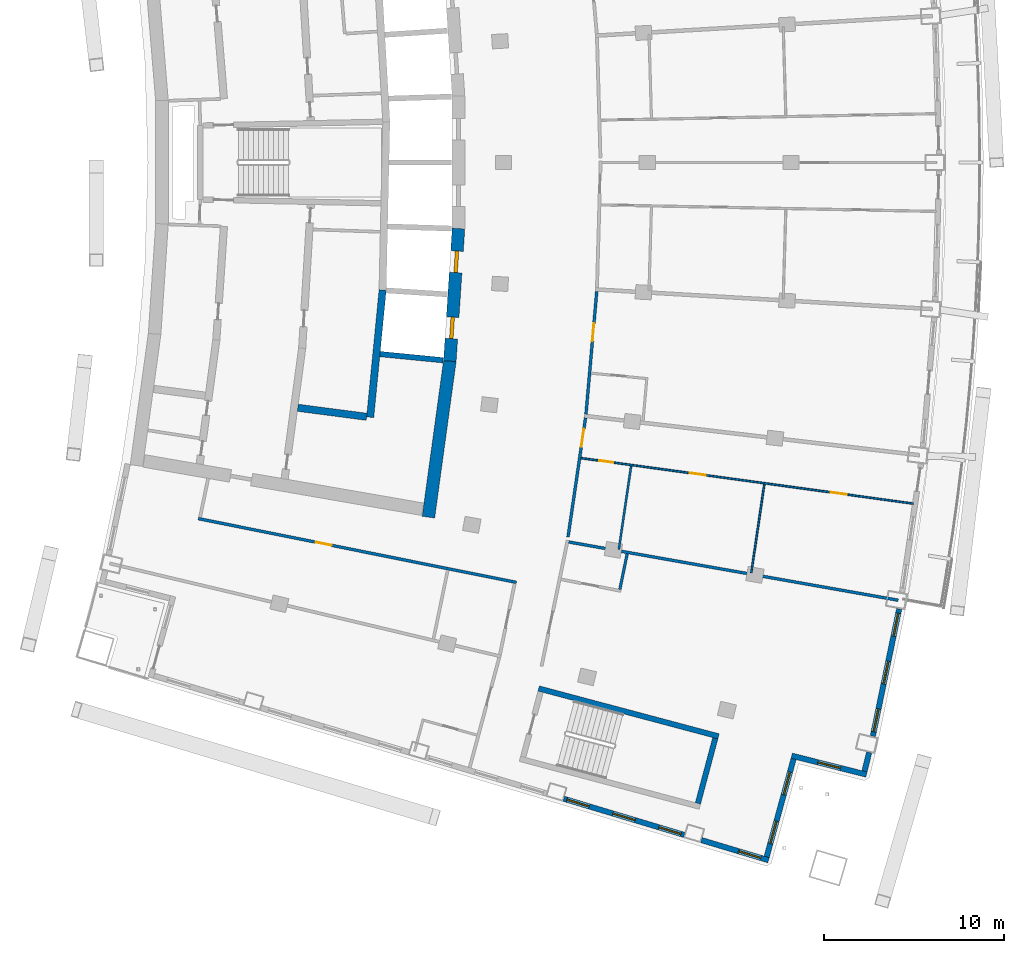
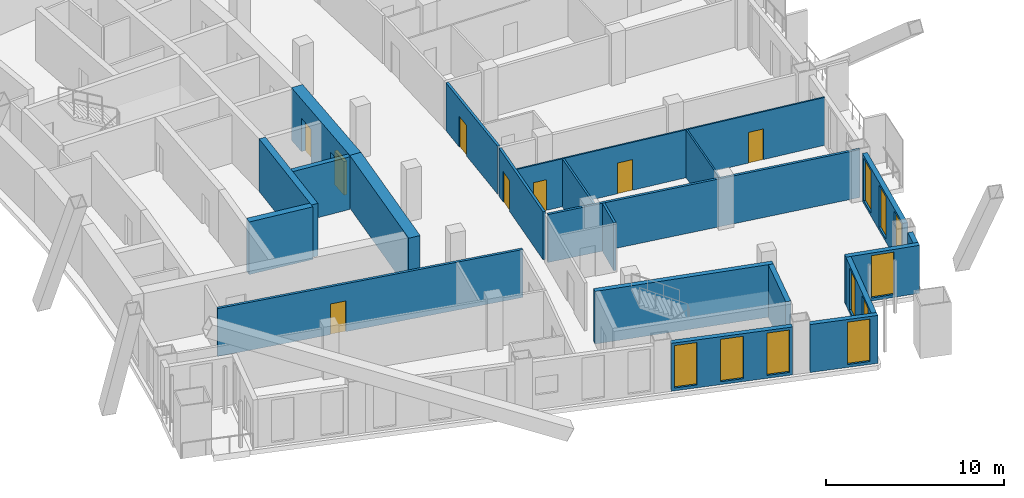
# One storey, part 11 of 20: 21 walls, 10 windows, 8 doors, 18 openings.
"""IFC4 building model written with IfcOpenShell, lengths in metres."""

from ifc_helpers import new_model, si_unit, direction, frame, frame_2d, origin, place, context, subcontext, project, spatial, rectangle, extrude, material, layer, layer_set, type_object, element, fill, save


model = new_model("IFC4")

# Units and contexts
model_context = context("Model", 3, precision=1e-05, world=origin(), true_north=direction((0.0, 1.0)))
body_context = subcontext(model_context, "Body", "Model", "MODEL_VIEW")
ifc_project = project(units=[si_unit("LENGTHUNIT", "METRE"), si_unit("AREAUNIT", "SQUARE_METRE"), si_unit("VOLUMEUNIT", "CUBIC_METRE"), si_unit("PLANEANGLEUNIT", "RADIAN"), si_unit("MASSUNIT", "GRAM", prefix="KILO")], contexts=[model_context])

# Site, building, storey
site_placement = place(None, origin())
site = spatial("IfcSite", under=ifc_project, at=site_placement, CompositionType="ELEMENT")
building_placement = place(site_placement, origin())
building = spatial("IfcBuilding", under=site, at=building_placement, Name="Alderwake Tower", CompositionType="ELEMENT")
storey_placement = place(building_placement, frame((0.0, 0.0, 149.60009765625)))
storey = spatial("IfcBuildingStorey", under=building, at=storey_placement, Name="L36", CompositionType="ELEMENT", Elevation=149.60009765625)

# Wall
ifc_material_1 = material(Name="Concrete C70/85", Category="concrete")
ifc_layer_1 = layer(ifc_material_1, 0.699951171875)
ifc_layer_set_1 = layer_set([ifc_layer_1], Name="Core wall outer 700 C70-85")
wall_type_1 = type_object("IfcWallType", Name="Core wall outer 700 C70-85", PredefinedType="SHEAR", material=ifc_layer_set_1)
wall_1_placement = place(storey_placement, frame((31.618896484375, 41.264892578125, 0.0), z_axis=(0.0, 0.0, 1.0), x_axis=(0.135835706655, 0.99073137671, 0.0)))
element("IfcWall", 1, at=wall_1_placement, inside=storey, type_object=wall_type_1, Name="Core wall CW.012", PredefinedType="SHEAR", context=body_context, shape_type="SweptSolid", body=[
    extrude(rectangle(XDim=8.790771484375, YDim=0.699951171875, at=frame_2d((4.3955078125, 0.0))), origin(), (0.0, 0.0, 1.0), 3.599853515625),
])

# Wall, openings, doors
wall_2_placement = place(storey_placement, frame((32.810302734375, 49.9482421875, 0.0), z_axis=(0.0, 0.0, 1.0), x_axis=(0.065009096017, 0.99788467141, 0.0)))
wall_2 = element("IfcWall", 2, at=wall_2_placement, inside=storey, type_object=wall_type_1, Name="Core wall CW.011", PredefinedType="SHEAR", context=body_context, shape_type="SweptSolid", body=[
    extrude(rectangle(XDim=7.39453125, YDim=0.699951171875, at=frame_2d((3.697265625, 0.0))), origin(), (0.0, 0.0, 1.0), 3.599853515625),
])
opening_1_placement = place(wall_2_placement, frame((1.255126953125, 0.0, 0.0)))
opening_1 = element("IfcOpeningElement", 3, at=opening_1_placement, cuts=wall_2, Name="Opening LD-HP1", PredefinedType="OPENING", context=body_context, shape_type="SweptSolid", body=[
    extrude(rectangle(XDim=1.199951171875, YDim=2.300048828125, at=frame_2d((0.60009765625, 1.14990234375))), frame((0.0, 0.35986328125, 0.0), z_axis=(0.0, -1.0, 0.0), x_axis=(1.0, 0.0, 0.0)), (0.0, 0.0, 1.0), 0.719970703125),
])
opening_2_placement = place(wall_2_placement, frame((4.9404296875, 0.0, 0.0)))
opening_2 = element("IfcOpeningElement", 4, at=opening_2_placement, cuts=wall_2, Name="Opening LD-HP2", PredefinedType="OPENING", context=body_context, shape_type="SweptSolid", body=[
    extrude(rectangle(XDim=1.199951171875, YDim=2.300048828125, at=frame_2d((0.60009765625, 1.14990234375))), frame((0.0, 0.35986328125, 0.0), z_axis=(0.0, -1.0, 0.0), x_axis=(1.0, 0.0, 0.0)), (0.0, 0.0, 1.0), 0.719970703125),
])
ifc_material_2 = material(Name="Stainless steel sliding leaf", Category="steel")
door_type_1 = type_object("IfcDoorType", Name="Lift landing door 1200", OperationType="SLIDING_TO_LEFT", PredefinedType="DOOR", material=ifc_material_2)
door_1_placement = place(opening_1_placement, origin())
door_1 = element("IfcDoor", 5, at=door_1_placement, inside=storey, type_object=door_type_1, Name="Lift landing door HP1", OperationType="SLIDING_TO_LEFT", OverallHeight=2.300048828125, OverallWidth=1.199951171875, PredefinedType="DOOR", context=body_context, shape_type="SweptSolid", body=[
    extrude(rectangle(XDim=1.199951171875, YDim=2.300048828125, at=frame_2d((0.60009765625, 1.14990234375))), frame((0.0, 0.10009765625, 0.0), z_axis=(0.0, -1.0, 0.0), x_axis=(1.0, 0.0, 0.0)), (0.0, 0.0, 1.0), 0.199951171875),
])
fill(opening_1, door_1)
door_2_placement = place(opening_2_placement, origin())
door_2 = element("IfcDoor", 6, at=door_2_placement, inside=storey, type_object=door_type_1, Name="Lift landing door HP2", OperationType="SLIDING_TO_LEFT", OverallHeight=2.300048828125, OverallWidth=1.199951171875, PredefinedType="DOOR", context=body_context, shape_type="SweptSolid", body=[
    extrude(rectangle(XDim=1.199951171875, YDim=2.300048828125, at=frame_2d((0.60009765625, 1.14990234375))), frame((0.0, 0.10009765625, 0.0), z_axis=(0.0, -1.0, 0.0), x_axis=(1.0, 0.0, 0.0)), (0.0, 0.0, 1.0), 0.199951171875),
])
fill(opening_2, door_2)

# Walls
ifc_material_3 = material(Name="Concrete C70/85", Category="concrete")
ifc_layer_2 = layer(ifc_material_3, 0.300048828125)
ifc_layer_set_2 = layer_set([ifc_layer_2], Name="Core wall shaft 300 C70-85")
wall_type_2 = type_object("IfcWallType", Name="Core wall shaft 300 C70-85", PredefinedType="SHEAR", material=ifc_layer_set_2)
wall_3_placement = place(storey_placement, frame((28.922119140625, 50.341796875, 0.0), z_axis=(0.0, 0.0, 1.0), x_axis=(0.995247351008, -0.097379208823, 0.0)))
element("IfcWall", 7, at=wall_3_placement, inside=storey, type_object=wall_type_2, Name="Core wall CW.064", PredefinedType="SHEAR", context=body_context, shape_type="SweptSolid", body=[
    extrude(rectangle(XDim=3.527587890625, YDim=0.300048828125, at=frame_2d((1.763671875, 0.0))), origin(), (0.0, 0.0, 1.0), 3.599853515625),
])
ifc_material_4 = material(Name="Concrete C70/85", Category="concrete")
ifc_layer_3 = layer(ifc_material_4, 0.39990234375)
ifc_layer_set_3 = layer_set([ifc_layer_3], Name="Core wall spine 400 C70-85")
wall_type_3 = type_object("IfcWallType", Name="Core wall spine 400 C70-85", PredefinedType="SHEAR", material=ifc_layer_set_3)
wall_4_placement = place(storey_placement, frame((28.376953125, 46.8251953125, 0.0), z_axis=(0.0, 0.0, 1.0), x_axis=(0.097393469943, 0.995245955537, 0.0)))
element("IfcWall", 8, at=wall_4_placement, inside=storey, type_object=wall_type_3, Name="Core wall CW.005", PredefinedType="SHEAR", context=body_context, shape_type="SweptSolid", body=[
    extrude(rectangle(XDim=7.1142578125, YDim=0.39990234375, at=frame_2d((3.55712890625, 0.0))), origin(), (0.0, 0.0, 1.0), 3.599853515625),
])
wall_5_placement = place(storey_placement, frame((24.347900390625, 47.35205078125, 0.0), z_axis=(0.0, 0.0, 1.0), x_axis=(0.991555950624, -0.129679592778, 0.0)))
element("IfcWall", 9, at=wall_5_placement, inside=storey, type_object=wall_type_3, Name="Core wall CW.069", PredefinedType="SHEAR", context=body_context, shape_type="SweptSolid", body=[
    extrude(rectangle(XDim=3.86328125, YDim=0.39990234375, at=frame_2d((1.931640625, 0.0))), origin(), (0.0, 0.0, 1.0), 3.599853515625),
])
ifc_material_5 = material(Name="Concrete C70/85", Category="concrete")
ifc_layer_4 = layer(ifc_material_5, 0.300048828125)
ifc_layer_set_4 = layer_set([ifc_layer_4], Name="Core wall stair enclosure 300 C70-85")
wall_type_4 = type_object("IfcWallType", Name="Core wall stair enclosure 300 C70-85", PredefinedType="SHEAR", material=ifc_layer_set_4)
wall_6_placement = place(storey_placement, frame((37.75390625, 31.731201171875, 0.0), z_axis=(0.0, 0.0, 1.0), x_axis=(0.966309214305, -0.257383958996, 0.0)))
element("IfcWall", 10, at=wall_6_placement, inside=storey, type_object=wall_type_4, Name="Core wall CW.086", PredefinedType="SHEAR", context=body_context, shape_type="SweptSolid", body=[
    extrude(rectangle(XDim=10.360107421875, YDim=0.300048828125, at=frame_2d((5.18017578125, 0.0))), origin(), (0.0, 0.0, 1.0), 3.599853515625),
])
wall_7_placement = place(storey_placement, frame((46.6162109375, 25.334716796875, 0.0), z_axis=(0.0, 0.0, 1.0), x_axis=(0.257366821694, 0.966313778796, 0.0)))
element("IfcWall", 11, at=wall_7_placement, inside=storey, type_object=wall_type_4, Name="Core wall CW.085", PredefinedType="SHEAR", context=body_context, shape_type="SweptSolid", body=[
    extrude(rectangle(XDim=3.749755859375, YDim=0.300048828125, at=frame_2d((1.875, 0.0))), origin(), (0.0, 0.0, 1.0), 3.599853515625),
])

# Wall, opening, door
ifc_material_6 = material(Name="Gypsum board on metal studs, rated")
ifc_layer_5 = layer(ifc_material_6, 0.159912109375)
ifc_layer_set_5 = layer_set([ifc_layer_5], Name="Corridor wall 160")
wall_type_5 = type_object("IfcWallType", Name="Corridor wall 160", PredefinedType="PARTITIONING", material=ifc_layer_set_5)
wall_8_placement = place(storey_placement, frame((36.513427734375, 37.63427734375, 0.0), z_axis=(0.0, 0.0, 1.0), x_axis=(-0.980470254867, 0.1966674333, 0.0)))
wall_8 = element("IfcWall", 12, at=wall_8_placement, inside=storey, type_object=wall_type_5, Name="WL/L36/W12", PredefinedType="PARTITIONING", context=body_context, shape_type="SweptSolid", body=[
    extrude(rectangle(XDim=18.053466796875, YDim=0.159912109375, at=frame_2d((9.02685546875, 0.0))), origin(), (0.0, 0.0, 1.0), 3.27978515625),
])
opening_3_placement = place(wall_8_placement, frame((10.476806640625, 0.0, 0.0)))
opening_3 = element("IfcOpeningElement", 13, at=opening_3_placement, cuts=wall_8, Name="Opening R10-SBS1", PredefinedType="OPENING", context=body_context, shape_type="SweptSolid", body=[
    extrude(rectangle(XDim=0.89990234375, YDim=2.10009765625, at=frame_2d((0.449951171875, 1.050048828125))), frame((0.0, 0.08984375, 0.0), z_axis=(0.0, -1.0, 0.0), x_axis=(1.0, 0.0, 0.0)), (0.0, 0.0, 1.0), 0.179931640625),
])
ifc_material_7 = material(Name="Painted timber leaf", Category="wood")
door_type_2 = type_object("IfcDoorType", Name="Room door 900", OperationType="SINGLE_SWING_LEFT", PredefinedType="DOOR", material=ifc_material_7)
door_3_placement = place(opening_3_placement, origin())
door_3 = element("IfcDoor", 14, at=door_3_placement, inside=storey, type_object=door_type_2, Name="DR/L36/SBS1", OperationType="SINGLE_SWING_LEFT", OverallHeight=2.10009765625, OverallWidth=0.89990234375, PredefinedType="DOOR", context=body_context, shape_type="SweptSolid", body=[
    extrude(rectangle(XDim=0.89990234375, YDim=2.10009765625, at=frame_2d((0.449951171875, 1.050048828125))), frame((0.0, 0.02490234375, 0.0), z_axis=(0.0, -1.0, 0.0), x_axis=(1.0, 0.0, 0.0)), (0.0, 0.0, 1.0), 0.050048828125),
])
fill(opening_3, door_3)

wall_9_placement = place(storey_placement, frame((40.3623046875, 46.7939453125, 0.0), z_axis=(0.0, 0.0, 1.0), x_axis=(-0.145513909196, -0.989356205939, 0.0)))
wall_9 = element("IfcWall", 15, at=wall_9_placement, inside=storey, type_object=wall_type_5, Name="WL/L36/W22", PredefinedType="PARTITIONING", context=body_context, shape_type="SweptSolid", body=[
    extrude(rectangle(XDim=6.704345703125, YDim=0.159912109375, at=frame_2d((3.35205078125, 0.0))), origin(), (0.0, 0.0, 1.0), 3.27978515625),
])
opening_4_placement = place(wall_9_placement, frame((0.628662109375, 0.0, 0.0)))
opening_4 = element("IfcOpeningElement", 16, at=opening_4_placement, cuts=wall_9, Name="Opening R10-U03.2", PredefinedType="OPENING", context=body_context, shape_type="SweptSolid", body=[
    extrude(rectangle(XDim=1.0, YDim=2.10009765625, at=frame_2d((0.5, 1.050048828125))), frame((0.0, 0.08984375, 0.0), z_axis=(0.0, -1.0, 0.0), x_axis=(1.0, 0.0, 0.0)), (0.0, 0.0, 1.0), 0.179931640625),
])
ifc_material_8 = material(Name="Solid timber leaf in steel frame", Category="steel")
door_type_3 = type_object("IfcDoorType", Name="Flat entrance door 1000 fire-rated", OperationType="SINGLE_SWING_LEFT", PredefinedType="DOOR", material=ifc_material_8)
door_4_placement = place(opening_4_placement, origin())
door_4 = element("IfcDoor", 17, at=door_4_placement, inside=storey, type_object=door_type_3, Name="DR/L36/U03.2", OperationType="SINGLE_SWING_LEFT", OverallHeight=2.10009765625, OverallWidth=1.0, PredefinedType="DOOR", context=body_context, shape_type="SweptSolid", body=[
    extrude(rectangle(XDim=1.0, YDim=2.10009765625, at=frame_2d((0.5, 1.050048828125))), frame((0.0, 0.02490234375, 0.0), z_axis=(0.0, -1.0, 0.0), x_axis=(1.0, 0.0, 0.0)), (0.0, 0.0, 1.0), 0.050048828125),
])
fill(opening_4, door_4)

wall_10_placement = place(storey_placement, frame((40.986328125, 53.834228515625, 0.0), z_axis=(0.0, 0.0, 1.0), x_axis=(-0.087448731147, -0.996169021512, 0.0)))
wall_10 = element("IfcWall", 18, at=wall_10_placement, inside=storey, type_object=wall_type_5, Name="WL/L36/W25", PredefinedType="PARTITIONING", context=body_context, shape_type="SweptSolid", body=[
    extrude(rectangle(XDim=6.867919921875, YDim=0.159912109375, at=frame_2d((3.43408203125, 0.0))), origin(), (0.0, 0.0, 1.0), 3.27978515625),
])
opening_5_placement = place(wall_10_placement, frame((1.78271484375, 0.0, 0.0)))
opening_5 = element("IfcOpeningElement", 19, at=opening_5_placement, cuts=wall_10, Name="Opening R10-U04.1", PredefinedType="OPENING", context=body_context, shape_type="SweptSolid", body=[
    extrude(rectangle(XDim=1.0, YDim=2.10009765625, at=frame_2d((0.5, 1.050048828125))), frame((0.0, 0.08984375, 0.0), z_axis=(0.0, -1.0, 0.0), x_axis=(1.0, 0.0, 0.0)), (0.0, 0.0, 1.0), 0.179931640625),
])
door_5_placement = place(opening_5_placement, origin())
door_5 = element("IfcDoor", 20, at=door_5_placement, inside=storey, type_object=door_type_3, Name="DR/L36/U04.1", OperationType="SINGLE_SWING_LEFT", OverallHeight=2.10009765625, OverallWidth=1.0, PredefinedType="DOOR", context=body_context, shape_type="SweptSolid", body=[
    extrude(rectangle(XDim=1.0, YDim=2.10009765625, at=frame_2d((0.5, 1.050048828125))), frame((0.0, 0.02490234375, 0.0), z_axis=(0.0, -1.0, 0.0), x_axis=(1.0, 0.0, 0.0)), (0.0, 0.0, 1.0), 0.050048828125),
])
fill(opening_5, door_5)

# Walls
wall_11_placement = place(storey_placement, frame((57.761962890625, 36.64208984375, 0.0), z_axis=(0.0, 0.0, 1.0), x_axis=(-0.984734415002, 0.174063585826, 0.0)))
element("IfcWall", 21, at=wall_11_placement, inside=storey, type_object=wall_type_5, Name="WL/L36/W29", PredefinedType="PARTITIONING", context=body_context, shape_type="SweptSolid", body=[
    extrude(rectangle(XDim=18.619384765625, YDim=0.159912109375, at=frame_2d((9.3095703125, 0.0))), origin(), (0.0, 0.0, 1.0), 3.27978515625),
])
ifc_material_9 = material(Name="Precast concrete C50/60 spandrel panel", Category="concrete")
ifc_layer_6 = layer(ifc_material_9, 0.300048828125)
ifc_layer_set_6 = layer_set([ifc_layer_6], Name="External wall EW1 Precast concrete C50/60 spandrel")
wall_type_6 = type_object("IfcWallType", Name="External wall EW1 Precast concrete C50/60 spandrel", PredefinedType="SOLIDWALL", material=ifc_layer_set_6)
wall_12_placement = place(storey_placement, frame((55.88720703125, 27.119384765625, 0.0), z_axis=(0.0, 0.0, 1.0), x_axis=(0.238145557197, 0.971229475246, 0.0)))
element("IfcWall", 22, at=wall_12_placement, inside=storey, type_object=wall_type_6, Name="External wall 11", PredefinedType="SOLIDWALL", context=body_context, shape_type="SweptSolid", body=[
    extrude(rectangle(XDim=1.086669921875, YDim=0.300048828125, at=frame_2d((0.54345703125, 0.0))), origin(), (0.0, 0.0, 1.0), 3.27978515625),
])

# Wall, openings, windows
wall_13_placement = place(storey_placement, frame((56.3505859375, 29.080810546875, 0.0), z_axis=(0.0, 0.0, 1.0), x_axis=(0.202762098715, 0.979228028257, 0.0)))
wall_13 = element("IfcWall", 23, at=wall_13_placement, inside=storey, type_object=wall_type_6, Name="External wall 12", PredefinedType="SOLIDWALL", context=body_context, shape_type="SweptSolid", body=[
    extrude(rectangle(XDim=7.221923828125, YDim=0.300048828125, at=frame_2d((3.61083984375, 0.0))), origin(), (0.0, 0.0, 1.0), 3.27978515625),
])
opening_6_placement = place(wall_13_placement, frame((0.2431640625, 0.0, 0.199951171875)))
opening_6 = element("IfcOpeningElement", 24, at=opening_6_placement, cuts=wall_13, Name="Opening W1", PredefinedType="OPENING", context=body_context, shape_type="SweptSolid", body=[
    extrude(rectangle(XDim=1.300048828125, YDim=2.89990234375, at=frame_2d((0.64990234375, 1.449951171875))), frame((0.0, 0.159912109375, 0.0), z_axis=(0.0, -1.0, 0.0), x_axis=(1.0, 0.0, 0.0)), (0.0, 0.0, 1.0), 0.320068359375),
])
opening_7_placement = place(wall_13_placement, frame((2.961181640625, 0.0, 0.199951171875)))
opening_7 = element("IfcOpeningElement", 25, at=opening_7_placement, cuts=wall_13, Name="Opening W1", PredefinedType="OPENING", context=body_context, shape_type="SweptSolid", body=[
    extrude(rectangle(XDim=1.300048828125, YDim=2.89990234375, at=frame_2d((0.64990234375, 1.449951171875))), frame((0.0, 0.159912109375, 0.0), z_axis=(0.0, -1.0, 0.0), x_axis=(1.0, 0.0, 0.0)), (0.0, 0.0, 1.0), 0.320068359375),
])
opening_8_placement = place(wall_13_placement, frame((5.678955078125, 0.0, 0.199951171875)))
opening_8 = element("IfcOpeningElement", 26, at=opening_8_placement, cuts=wall_13, Name="Opening W1", PredefinedType="OPENING", context=body_context, shape_type="SweptSolid", body=[
    extrude(rectangle(XDim=1.300048828125, YDim=2.89990234375, at=frame_2d((0.64990234375, 1.449951171875))), frame((0.0, 0.159912109375, 0.0), z_axis=(0.0, -1.0, 0.0), x_axis=(1.0, 0.0, 0.0)), (0.0, 0.0, 1.0), 0.320068359375),
])
ifc_material_10 = material(Name="Bronze tinted glass in aluminium frame", Category="aluminium")
window_type = type_object("IfcWindowType", Name="Window W1 tall fixed and vent", PartitioningType="DOUBLE_PANEL_VERTICAL", PredefinedType="WINDOW", material=ifc_material_10)
window_1_placement = place(opening_6_placement, origin())
window_1 = element("IfcWindow", 27, at=window_1_placement, inside=storey, type_object=window_type, Name="Window W1 tall fixed and vent", OverallHeight=2.89990234375, OverallWidth=1.300048828125, PartitioningType="DOUBLE_PANEL_VERTICAL", PredefinedType="WINDOW", context=body_context, shape_type="SweptSolid", body=[
    extrude(rectangle(XDim=1.300048828125, YDim=2.89990234375, at=frame_2d((0.64990234375, 1.449951171875))), frame((0.0, 0.030029296875, 0.0), z_axis=(0.0, -1.0, 0.0), x_axis=(1.0, 0.0, 0.0)), (0.0, 0.0, 1.0), 0.06005859375),
])
fill(opening_6, window_1)
window_2_placement = place(opening_7_placement, origin())
window_2 = element("IfcWindow", 28, at=window_2_placement, inside=storey, type_object=window_type, Name="Window W1 tall fixed and vent", OverallHeight=2.89990234375, OverallWidth=1.300048828125, PartitioningType="DOUBLE_PANEL_VERTICAL", PredefinedType="WINDOW", context=body_context, shape_type="SweptSolid", body=[
    extrude(rectangle(XDim=1.300048828125, YDim=2.89990234375, at=frame_2d((0.64990234375, 1.449951171875))), frame((0.0, 0.030029296875, 0.0), z_axis=(0.0, -1.0, 0.0), x_axis=(1.0, 0.0, 0.0)), (0.0, 0.0, 1.0), 0.06005859375),
])
fill(opening_7, window_2)
window_3_placement = place(opening_8_placement, origin())
window_3 = element("IfcWindow", 29, at=window_3_placement, inside=storey, type_object=window_type, Name="Window W1 tall fixed and vent", OverallHeight=2.89990234375, OverallWidth=1.300048828125, PartitioningType="DOUBLE_PANEL_VERTICAL", PredefinedType="WINDOW", context=body_context, shape_type="SweptSolid", body=[
    extrude(rectangle(XDim=1.300048828125, YDim=2.89990234375, at=frame_2d((0.64990234375, 1.449951171875))), frame((0.0, 0.030029296875, 0.0), z_axis=(0.0, -1.0, 0.0), x_axis=(1.0, 0.0, 0.0)), (0.0, 0.0, 1.0), 0.06005859375),
])
fill(opening_8, window_3)

ifc_material_11 = material(Name="Bronze metal cladding on lightweight framing")
ifc_layer_7 = layer(ifc_material_11, 0.300048828125)
ifc_layer_set_7 = layer_set([ifc_layer_7], Name="External wall EW2 bronze metal cladding")
wall_type_7 = type_object("IfcWallType", Name="External wall EW2 bronze metal cladding", PredefinedType="SOLIDWALL", material=ifc_layer_set_7)
wall_14_placement = place(storey_placement, frame((39.151611328125, 25.5927734375, 0.0), z_axis=(0.0, 0.0, 1.0), x_axis=(0.957766716661, -0.287546372706, 0.0)))
wall_14 = element("IfcWall", 30, at=wall_14_placement, inside=storey, type_object=wall_type_7, Name="External wall 7", PredefinedType="SOLIDWALL", context=body_context, shape_type="SweptSolid", body=[
    extrude(rectangle(XDim=6.99609375, YDim=0.300048828125, at=frame_2d((3.498046875, 0.0))), origin(), (0.0, 0.0, 1.0), 3.27978515625),
])
opening_9_placement = place(wall_14_placement, frame((0.181396484375, 0.0, 0.199951171875)))
opening_9 = element("IfcOpeningElement", 31, at=opening_9_placement, cuts=wall_14, Name="Opening W1", PredefinedType="OPENING", context=body_context, shape_type="SweptSolid", body=[
    extrude(rectangle(XDim=1.300048828125, YDim=2.89990234375, at=frame_2d((0.64990234375, 1.449951171875))), frame((0.0, 0.159912109375, 0.0), z_axis=(0.0, -1.0, 0.0), x_axis=(1.0, 0.0, 0.0)), (0.0, 0.0, 1.0), 0.320068359375),
])
opening_10_placement = place(wall_14_placement, frame((2.84814453125, 0.0, 0.199951171875)))
opening_10 = element("IfcOpeningElement", 32, at=opening_10_placement, cuts=wall_14, Name="Opening W1", PredefinedType="OPENING", context=body_context, shape_type="SweptSolid", body=[
    extrude(rectangle(XDim=1.300048828125, YDim=2.89990234375, at=frame_2d((0.64990234375, 1.449951171875))), frame((0.0, 0.159912109375, 0.0), z_axis=(0.0, -1.0, 0.0), x_axis=(1.0, 0.0, 0.0)), (0.0, 0.0, 1.0), 0.320068359375),
])
opening_11_placement = place(wall_14_placement, frame((5.514892578125, 0.0, 0.199951171875)))
opening_11 = element("IfcOpeningElement", 33, at=opening_11_placement, cuts=wall_14, Name="Opening W1", PredefinedType="OPENING", context=body_context, shape_type="SweptSolid", body=[
    extrude(rectangle(XDim=1.300048828125, YDim=2.89990234375, at=frame_2d((0.64990234375, 1.449951171875))), frame((0.0, 0.159912109375, 0.0), z_axis=(0.0, -1.0, 0.0), x_axis=(1.0, 0.0, 0.0)), (0.0, 0.0, 1.0), 0.320068359375),
])
window_4_placement = place(opening_9_placement, origin())
window_4 = element("IfcWindow", 34, at=window_4_placement, inside=storey, type_object=window_type, Name="Window W1 tall fixed and vent", OverallHeight=2.89990234375, OverallWidth=1.300048828125, PartitioningType="DOUBLE_PANEL_VERTICAL", PredefinedType="WINDOW", context=body_context, shape_type="SweptSolid", body=[
    extrude(rectangle(XDim=1.300048828125, YDim=2.89990234375, at=frame_2d((0.64990234375, 1.449951171875))), frame((0.0, 0.030029296875, 0.0), z_axis=(0.0, -1.0, 0.0), x_axis=(1.0, 0.0, 0.0)), (0.0, 0.0, 1.0), 0.06005859375),
])
fill(opening_9, window_4)
window_5_placement = place(opening_10_placement, origin())
window_5 = element("IfcWindow", 35, at=window_5_placement, inside=storey, type_object=window_type, Name="Window W1 tall fixed and vent", OverallHeight=2.89990234375, OverallWidth=1.300048828125, PartitioningType="DOUBLE_PANEL_VERTICAL", PredefinedType="WINDOW", context=body_context, shape_type="SweptSolid", body=[
    extrude(rectangle(XDim=1.300048828125, YDim=2.89990234375, at=frame_2d((0.64990234375, 1.449951171875))), frame((0.0, 0.030029296875, 0.0), z_axis=(0.0, -1.0, 0.0), x_axis=(1.0, 0.0, 0.0)), (0.0, 0.0, 1.0), 0.06005859375),
])
fill(opening_10, window_5)
window_6_placement = place(opening_11_placement, origin())
window_6 = element("IfcWindow", 36, at=window_6_placement, inside=storey, type_object=window_type, Name="Window W1 tall fixed and vent", OverallHeight=2.89990234375, OverallWidth=1.300048828125, PartitioningType="DOUBLE_PANEL_VERTICAL", PredefinedType="WINDOW", context=body_context, shape_type="SweptSolid", body=[
    extrude(rectangle(XDim=1.300048828125, YDim=2.89990234375, at=frame_2d((0.64990234375, 1.449951171875))), frame((0.0, 0.030029296875, 0.0), z_axis=(0.0, -1.0, 0.0), x_axis=(1.0, 0.0, 0.0)), (0.0, 0.0, 1.0), 0.06005859375),
])
fill(opening_11, window_6)

# Wall, opening, window
wall_15_placement = place(storey_placement, frame((46.8134765625, 23.29248046875, 0.0), z_axis=(0.0, 0.0, 1.0), x_axis=(0.957765903046, -0.287549082701, 0.0)))
wall_15 = element("IfcWall", 37, at=wall_15_placement, inside=storey, type_object=wall_type_7, Name="External wall 8", PredefinedType="SOLIDWALL", context=body_context, shape_type="SweptSolid", body=[
    extrude(rectangle(XDim=3.896240234375, YDim=0.300048828125, at=frame_2d((1.9482421875, 0.0))), origin(), (0.0, 0.0, 1.0), 3.27978515625),
])
opening_12_placement = place(wall_15_placement, frame((2.146484375, 0.0, 0.199951171875)))
opening_12 = element("IfcOpeningElement", 38, at=opening_12_placement, cuts=wall_15, Name="Opening W1", PredefinedType="OPENING", context=body_context, shape_type="SweptSolid", body=[
    extrude(rectangle(XDim=1.300048828125, YDim=2.89990234375, at=frame_2d((0.64990234375, 1.449951171875))), frame((0.0, 0.159912109375, 0.0), z_axis=(0.0, -1.0, 0.0), x_axis=(1.0, 0.0, 0.0)), (0.0, 0.0, 1.0), 0.320068359375),
])
window_7_placement = place(opening_12_placement, origin())
window_7 = element("IfcWindow", 39, at=window_7_placement, inside=storey, type_object=window_type, Name="Window W1 tall fixed and vent", OverallHeight=2.89990234375, OverallWidth=1.300048828125, PartitioningType="DOUBLE_PANEL_VERTICAL", PredefinedType="WINDOW", context=body_context, shape_type="SweptSolid", body=[
    extrude(rectangle(XDim=1.300048828125, YDim=2.89990234375, at=frame_2d((0.64990234375, 1.449951171875))), frame((0.0, 0.030029296875, 0.0), z_axis=(0.0, -1.0, 0.0), x_axis=(1.0, 0.0, 0.0)), (0.0, 0.0, 1.0), 0.06005859375),
])
fill(opening_12, window_7)

# Wall, openings, windows
wall_16_placement = place(storey_placement, frame((50.441162109375, 22.35986328125, 0.0), z_axis=(0.0, 0.0, 1.0), x_axis=(0.265145438935, 0.964208429859, 0.0)))
wall_16 = element("IfcWall", 40, at=wall_16_placement, inside=storey, type_object=wall_type_7, Name="External wall 9", PredefinedType="SOLIDWALL", context=body_context, shape_type="SweptSolid", body=[
    extrude(rectangle(XDim=5.65185546875, YDim=0.300048828125, at=frame_2d((2.825927734375, 0.0))), origin(), (0.0, 0.0, 1.0), 3.27978515625),
])
opening_13_placement = place(wall_16_placement, frame((0.762939453125, 0.0, 0.199951171875)))
opening_13 = element("IfcOpeningElement", 41, at=opening_13_placement, cuts=wall_16, Name="Opening W1", PredefinedType="OPENING", context=body_context, shape_type="SweptSolid", body=[
    extrude(rectangle(XDim=1.300048828125, YDim=2.89990234375, at=frame_2d((0.64990234375, 1.449951171875))), frame((0.0, 0.159912109375, 0.0), z_axis=(0.0, -1.0, 0.0), x_axis=(1.0, 0.0, 0.0)), (0.0, 0.0, 1.0), 0.320068359375),
])
opening_14_placement = place(wall_16_placement, frame((3.5888671875, 0.0, 0.199951171875)))
opening_14 = element("IfcOpeningElement", 42, at=opening_14_placement, cuts=wall_16, Name="Opening W1", PredefinedType="OPENING", context=body_context, shape_type="SweptSolid", body=[
    extrude(rectangle(XDim=1.300048828125, YDim=2.89990234375, at=frame_2d((0.64990234375, 1.449951171875))), frame((0.0, 0.159912109375, 0.0), z_axis=(0.0, -1.0, 0.0), x_axis=(1.0, 0.0, 0.0)), (0.0, 0.0, 1.0), 0.320068359375),
])
window_8_placement = place(opening_13_placement, origin())
window_8 = element("IfcWindow", 43, at=window_8_placement, inside=storey, type_object=window_type, Name="Window W1 tall fixed and vent", OverallHeight=2.89990234375, OverallWidth=1.300048828125, PartitioningType="DOUBLE_PANEL_VERTICAL", PredefinedType="WINDOW", context=body_context, shape_type="SweptSolid", body=[
    extrude(rectangle(XDim=1.300048828125, YDim=2.89990234375, at=frame_2d((0.64990234375, 1.449951171875))), frame((0.0, 0.030029296875, 0.0), z_axis=(0.0, -1.0, 0.0), x_axis=(1.0, 0.0, 0.0)), (0.0, 0.0, 1.0), 0.06005859375),
])
fill(opening_13, window_8)
window_9_placement = place(opening_14_placement, origin())
window_9 = element("IfcWindow", 44, at=window_9_placement, inside=storey, type_object=window_type, Name="Window W1 tall fixed and vent", OverallHeight=2.89990234375, OverallWidth=1.300048828125, PartitioningType="DOUBLE_PANEL_VERTICAL", PredefinedType="WINDOW", context=body_context, shape_type="SweptSolid", body=[
    extrude(rectangle(XDim=1.300048828125, YDim=2.89990234375, at=frame_2d((0.64990234375, 1.449951171875))), frame((0.0, 0.030029296875, 0.0), z_axis=(0.0, -1.0, 0.0), x_axis=(1.0, 0.0, 0.0)), (0.0, 0.0, 1.0), 0.06005859375),
])
fill(opening_14, window_9)

# Wall, opening, window
wall_17_placement = place(storey_placement, frame((51.833984375, 27.99072265625, 0.0), z_axis=(0.0, 0.0, 1.0), x_axis=(0.969425962264, -0.245383992325, 0.0)))
wall_17 = element("IfcWall", 45, at=wall_17_placement, inside=storey, type_object=wall_type_7, Name="External wall 10", PredefinedType="SOLIDWALL", context=body_context, shape_type="SweptSolid", body=[
    extrude(rectangle(XDim=4.294189453125, YDim=0.300048828125, at=frame_2d((2.14697265625, 0.0))), origin(), (0.0, 0.0, 1.0), 3.27978515625),
])
opening_15_placement = place(wall_17_placement, frame((1.4970703125, 0.0, 0.199951171875)))
opening_15 = element("IfcOpeningElement", 46, at=opening_15_placement, cuts=wall_17, Name="Opening W1", PredefinedType="OPENING", context=body_context, shape_type="SweptSolid", body=[
    extrude(rectangle(XDim=1.300048828125, YDim=2.89990234375, at=frame_2d((0.64990234375, 1.449951171875))), frame((0.0, 0.159912109375, 0.0), z_axis=(0.0, -1.0, 0.0), x_axis=(1.0, 0.0, 0.0)), (0.0, 0.0, 1.0), 0.320068359375),
])
window_10_placement = place(opening_15_placement, origin())
window_10 = element("IfcWindow", 47, at=window_10_placement, inside=storey, type_object=window_type, Name="Window W1 tall fixed and vent", OverallHeight=2.89990234375, OverallWidth=1.300048828125, PartitioningType="DOUBLE_PANEL_VERTICAL", PredefinedType="WINDOW", context=body_context, shape_type="SweptSolid", body=[
    extrude(rectangle(XDim=1.300048828125, YDim=2.89990234375, at=frame_2d((0.64990234375, 1.449951171875))), frame((0.0, 0.030029296875, 0.0), z_axis=(0.0, -1.0, 0.0), x_axis=(1.0, 0.0, 0.0)), (0.0, 0.0, 1.0), 0.06005859375),
])
fill(opening_15, window_10)

# Wall
ifc_material_12 = material(Name="Gypsum shaft wall system, rated")
ifc_layer_8 = layer(ifc_material_12, 0.14990234375)
ifc_layer_set_8 = layer_set([ifc_layer_8], Name="Riser and shaft wall 150")
wall_type_8 = type_object("IfcWallType", Name="Riser and shaft wall 150", PredefinedType="PARTITIONING", material=ifc_layer_set_8)
wall_18_placement = place(storey_placement, frame((42.270263671875, 37.243408203125, 0.0), z_axis=(0.0, 0.0, 1.0), x_axis=(0.202091528728, 0.97936663922, 0.0)))
element("IfcWall", 48, at=wall_18_placement, inside=storey, type_object=wall_type_8, Name="WL/L36/W10", PredefinedType="PARTITIONING", context=body_context, shape_type="SweptSolid", body=[
    extrude(rectangle(XDim=2.02587890625, YDim=0.14990234375, at=frame_2d((1.012939453125, 0.0))), origin(), (0.0, 0.0, 1.0), 3.27978515625),
])

# Wall, openings, doors
ifc_material_13 = material(Name="Gypsum board on metal studs")
ifc_layer_9 = layer(ifc_material_13, 0.10009765625)
ifc_layer_set_9 = layer_set([ifc_layer_9], Name="Unit partition 100")
wall_type_9 = type_object("IfcWallType", Name="Unit partition 100", PredefinedType="PARTITIONING", material=ifc_layer_set_9)
wall_19_placement = place(storey_placement, frame((58.60205078125, 42.01806640625, 0.0), z_axis=(0.0, 0.0, 1.0), x_axis=(-0.99074462385, 0.135739052273, 0.0)))
wall_19 = element("IfcWall", 49, at=wall_19_placement, inside=storey, type_object=wall_type_9, Name="WL/L36/W45", PredefinedType="PARTITIONING", context=body_context, shape_type="SweptSolid", body=[
    extrude(rectangle(XDim=18.660400390625, YDim=0.10009765625, at=frame_2d((9.330078125, 0.0))), origin(), (0.0, 0.0, 1.0), 3.27978515625),
])
opening_16_placement = place(wall_19_placement, frame((11.651611328125, 0.0, 0.0)))
opening_16 = element("IfcOpeningElement", 50, at=opening_16_placement, cuts=wall_19, Name="Opening R10-U03.1", PredefinedType="OPENING", context=body_context, shape_type="SweptSolid", body=[
    extrude(rectangle(XDim=0.89990234375, YDim=2.10009765625, at=frame_2d((0.449951171875, 1.050048828125))), frame((0.0, 0.06005859375, 0.0), z_axis=(0.0, -1.0, 0.0), x_axis=(1.0, 0.0, 0.0)), (0.0, 0.0, 1.0), 0.1201171875),
])
opening_17_placement = place(wall_19_placement, frame((16.8515625, 0.0, 0.0)))
opening_17 = element("IfcOpeningElement", 51, at=opening_17_placement, cuts=wall_19, Name="Opening R10-U03.3", PredefinedType="OPENING", context=body_context, shape_type="SweptSolid", body=[
    extrude(rectangle(XDim=0.800048828125, YDim=2.10009765625, at=frame_2d((0.39990234375, 1.050048828125))), frame((0.0, 0.06005859375, 0.0), z_axis=(0.0, -1.0, 0.0), x_axis=(1.0, 0.0, 0.0)), (0.0, 0.0, 1.0), 0.1201171875),
])
opening_18_placement = place(wall_19_placement, frame((3.73046875, 0.0, 0.0)))
opening_18 = element("IfcOpeningElement", 52, at=opening_18_placement, cuts=wall_19, Name="Opening R10-U03.4", PredefinedType="OPENING", context=body_context, shape_type="SweptSolid", body=[
    extrude(rectangle(XDim=0.89990234375, YDim=2.10009765625, at=frame_2d((0.449951171875, 1.050048828125))), frame((0.0, 0.06005859375, 0.0), z_axis=(0.0, -1.0, 0.0), x_axis=(1.0, 0.0, 0.0)), (0.0, 0.0, 1.0), 0.1201171875),
])
ifc_material_14 = material(Name="Painted timber leaf", Category="wood")
door_type_4 = type_object("IfcDoorType", Name="Bathroom door 800", OperationType="SINGLE_SWING_LEFT", PredefinedType="DOOR", material=ifc_material_14)
door_6_placement = place(opening_17_placement, origin())
door_6 = element("IfcDoor", 53, at=door_6_placement, inside=storey, type_object=door_type_4, Name="DR/L36/U03.3", OperationType="SINGLE_SWING_LEFT", OverallHeight=2.10009765625, OverallWidth=0.800048828125, PredefinedType="DOOR", context=body_context, shape_type="SweptSolid", body=[
    extrude(rectangle(XDim=0.800048828125, YDim=2.10009765625, at=frame_2d((0.39990234375, 1.050048828125))), frame((0.0, 0.02490234375, 0.0), z_axis=(0.0, -1.0, 0.0), x_axis=(1.0, 0.0, 0.0)), (0.0, 0.0, 1.0), 0.050048828125),
])
fill(opening_17, door_6)
door_7_placement = place(opening_16_placement, origin())
door_7 = element("IfcDoor", 54, at=door_7_placement, inside=storey, type_object=door_type_2, Name="DR/L36/U03.1", OperationType="SINGLE_SWING_LEFT", OverallHeight=2.10009765625, OverallWidth=0.89990234375, PredefinedType="DOOR", context=body_context, shape_type="SweptSolid", body=[
    extrude(rectangle(XDim=0.89990234375, YDim=2.10009765625, at=frame_2d((0.449951171875, 1.050048828125))), frame((0.0, 0.02490234375, 0.0), z_axis=(0.0, -1.0, 0.0), x_axis=(1.0, 0.0, 0.0)), (0.0, 0.0, 1.0), 0.050048828125),
])
fill(opening_16, door_7)
door_8_placement = place(opening_18_placement, origin())
door_8 = element("IfcDoor", 55, at=door_8_placement, inside=storey, type_object=door_type_2, Name="DR/L36/U03.4", OperationType="SINGLE_SWING_LEFT", OverallHeight=2.10009765625, OverallWidth=0.89990234375, PredefinedType="DOOR", context=body_context, shape_type="SweptSolid", body=[
    extrude(rectangle(XDim=0.89990234375, YDim=2.10009765625, at=frame_2d((0.449951171875, 1.050048828125))), frame((0.0, 0.02490234375, 0.0), z_axis=(0.0, -1.0, 0.0), x_axis=(1.0, 0.0, 0.0)), (0.0, 0.0, 1.0), 0.050048828125),
])
fill(opening_18, door_8)

# Walls
wall_20_placement = place(storey_placement, frame((49.586669921875, 38.170166015625, 0.0), z_axis=(0.0, 0.0, 1.0), x_axis=(0.145444645859, 0.989366390672, 0.0)))
element("IfcWall", 56, at=wall_20_placement, inside=storey, type_object=wall_type_9, Name="WL/L36/W49", PredefinedType="PARTITIONING", context=body_context, shape_type="SweptSolid", body=[
    extrude(rectangle(XDim=4.9853515625, YDim=0.10009765625, at=frame_2d((2.49267578125, 0.0))), origin(), (0.0, 0.0, 1.0), 3.27978515625),
])
ifc_material_15 = material(Name="Moisture resistant gypsum board on metal studs")
ifc_layer_10 = layer(ifc_material_15, 0.1201171875)
ifc_layer_set_10 = layer_set([ifc_layer_10], Name="Wet room partition 120")
wall_type_10 = type_object("IfcWallType", Name="Wet room partition 120", PredefinedType="PARTITIONING", material=ifc_layer_set_10)
wall_21_placement = place(storey_placement, frame((42.215576171875, 39.47216796875, 0.0), z_axis=(0.0, 0.0, 1.0), x_axis=(0.145519444166, 0.989355391843, 0.0)))
element("IfcWall", 57, at=wall_21_placement, inside=storey, type_object=wall_type_10, Name="WL/L36/W36", PredefinedType="PARTITIONING", context=body_context, shape_type="SweptSolid", body=[
    extrude(rectangle(XDim=4.6943359375, YDim=0.1201171875, at=frame_2d((2.34716796875, 0.0))), origin(), (0.0, 0.0, 1.0), 3.27978515625),
])

save(model, "model.ifc")
